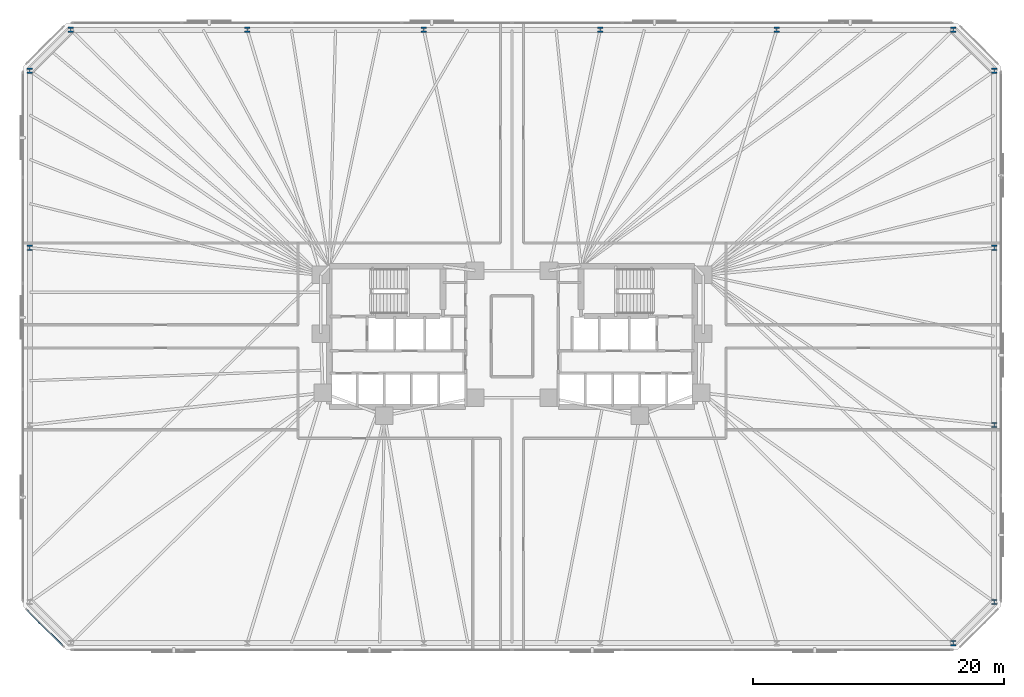
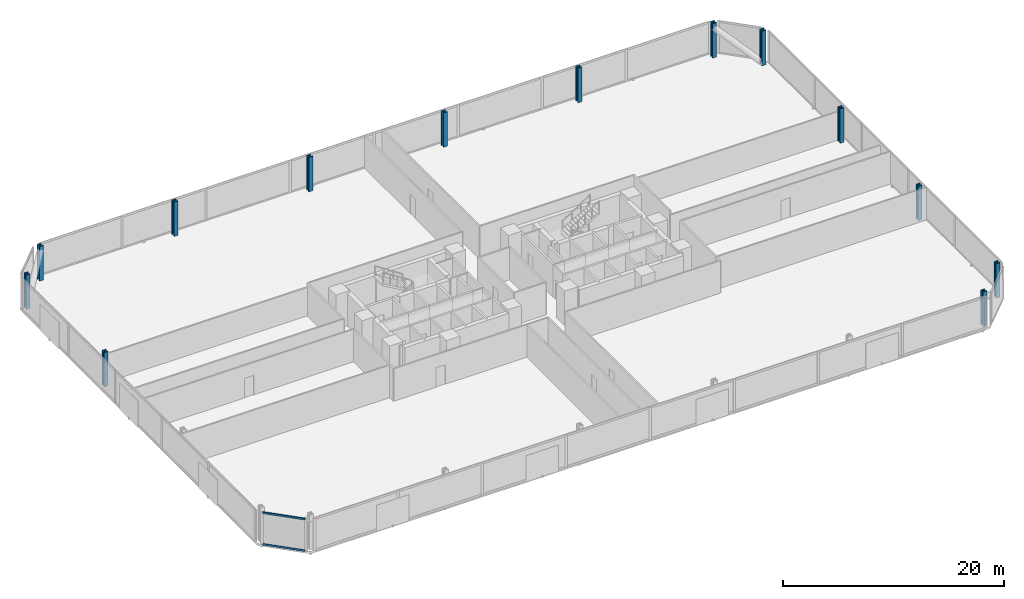
# One storey, part 5 of 16: 13 columns, 2 members, 1 element without a shape of its own.
"""IFC4 building model written with IfcOpenShell, lengths in metres."""

from ifc_helpers import new_model, si_unit, direction, frame, origin, origin_2d, place, context, subcontext, project, spatial, rectangle, i_section, extrude, material, material_profile, profile_set, type_object, element, aggregate, save


model = new_model("IFC4")

# Units and contexts
model_context = context("Model", 3, precision=1e-05, world=origin(), true_north=direction((0.0, 1.0)))
body_context = subcontext(model_context, "Body", "Model", "MODEL_VIEW")
ifc_project = project(units=[si_unit("LENGTHUNIT", "METRE"), si_unit("AREAUNIT", "SQUARE_METRE"), si_unit("VOLUMEUNIT", "CUBIC_METRE"), si_unit("PLANEANGLEUNIT", "RADIAN"), si_unit("MASSUNIT", "GRAM", prefix="KILO")], contexts=[model_context])

# Site, building, storey
site_placement = place(None, origin())
site = spatial("IfcSite", under=ifc_project, at=site_placement, CompositionType="ELEMENT")
building_placement = place(site_placement, origin())
building = spatial("IfcBuilding", under=site, at=building_placement, Name="Menara Jurai Vektor", CompositionType="ELEMENT")
storey_placement = place(building_placement, frame((0.0, 0.0, 14.199951171875)))
storey = spatial("IfcBuildingStorey", under=building, at=storey_placement, Name="L02", CompositionType="ELEMENT", Elevation=14.199951171875)

# Columns
ifc_material_1 = material(Name="Steel S460", Category="steel")
ifc_material_profile_1 = material_profile(ifc_material_1, i_section(OverallWidth=0.419921875, OverallDepth=0.430908203125, WebThickness=0.06494140625, FlangeThickness=0.10595703125, FilletRadius=0.014892578125, at=origin_2d()), Name="HD 400x900")
ifc_profile_set_1 = profile_set([ifc_material_profile_1], Name="Steel S460")
column_type = type_object("IfcColumnType", Name="STR-EXO-BLK1", PredefinedType="COLUMN", material=ifc_profile_set_1)
for number, where, z_axis, x_axis, name in (
    (1, (35.177734375, -24.449951171875, 0.0), (0.0, 0.0, 1.0), (1.0, 0.0, 0.0), "Exoskeleton Column BLK1-S6 L02"),
    (2, (38.449951171875, -21.177734375, 0.0), (0.0, 0.0, 1.0), (1.0, 0.0, 0.0), "Exoskeleton Column BLK1-E1 L02"),
    (3, (38.449951171875, -7.059326171875, 0.0), (0.0, 0.0, 1.0), (1.0, 0.0, 0.0), "Exoskeleton Column BLK1-E2 L02"),
    (4, (38.449951171875, 7.059326171875, 0.0), (0.0, 0.0, 1.0), (1.0, 0.0, 0.0), "Exoskeleton Column BLK1-E3 L02"),
    (5, (38.449951171875, 21.177734375, 0.0), (0.0, 0.0, 1.0), (1.0, 0.0, 0.0), "Exoskeleton Column BLK1-E4 L02"),
    (6, (35.177734375, 24.449951171875, 0.0), (0.0, 0.0, 1.0), (1.0, 0.0, 0.0), "Exoskeleton Column BLK1-N1 L02"),
    (7, (21.106689453125, 24.449951171875, 0.0), (0.0, 0.0, 1.0), (1.0, 0.0, 0.0), "Exoskeleton Column BLK1-N2 L02"),
    (8, (7.03564453125, 24.449951171875, 0.0), (0.0, 0.0, 1.0), (1.0, 0.0, 0.0), "Exoskeleton Column BLK1-N3 L02"),
    (9, (-7.03564453125, 24.449951171875, 0.0), (0.0, 0.0, 1.0), (1.0, 0.0, 0.0), "Exoskeleton Column BLK1-N4 L02"),
    (10, (-21.106689453125, 24.449951171875, 0.0), (0.0, 0.0, 1.0), (1.0, 0.0, 0.0), "Exoskeleton Column BLK1-N5 L02"),
    (11, (-35.177734375, 24.449951171875, 0.0), (0.0, 0.0, 1.0), (1.0, 0.0, 0.0), "Exoskeleton Column BLK1-N6 L02"),
    (12, (-38.449951171875, 21.177734375, 0.0), (0.0, 0.0, 1.0), (1.0, 0.0, 0.0), "Exoskeleton Column BLK1-W1 L02"),
    (13, (-38.449951171875, 7.059326171875, 0.0), (0.0, 0.0, 1.0), (1.0, 0.0, 0.0), "Exoskeleton Column BLK1-W2 L02"),
):
    element("IfcColumn", number, at=place(storey_placement, frame(where, z_axis=z_axis, x_axis=x_axis)), inside=storey, type_object=column_type, Name=name, PredefinedType="COLUMN", context=body_context, shape_type="SweptSolid", body=[
        extrude(i_section(OverallWidth=0.419921875, OverallDepth=0.430908203125, WebThickness=0.06494140625, FlangeThickness=0.10595703125, FilletRadius=0.014892578125, at=origin_2d()), origin(), (0.0, 0.0, 1.0), 3.800048828125),
    ])

# Curtain wall, members
ifc_material_2 = material(Name="Anodised Pale Aluminium & Low-E Double Glazing", Category="aluminium")
curtain_wall_type = type_object("IfcCurtainWallType", Name="CW-BLK1", PredefinedType="NOTDEFINED", material=ifc_material_2)
curtain_wall_placement = place(storey_placement, origin())
curtain_wall = element("IfcCurtainWall", 14, at=curtain_wall_placement, inside=storey, type_object=curtain_wall_type, Name="Unitised Curtain Wall L02 F08", PredefinedType="NOTDEFINED")
ifc_material_3 = material(Name="Anodised Pale Aluminium Transom", Category="aluminium")
ifc_material_profile_2 = material_profile(ifc_material_3, rectangle(XDim=0.094970703125, YDim=0.199951171875, at=origin_2d()), Name="ALU TRN 95x200")
ifc_profile_set_2 = profile_set([ifc_material_profile_2], Name="Anodised Pale Aluminium Transom")
member_type = type_object("IfcMemberType", Name="CW-BLK1-TRN", PredefinedType="USERDEFINED", material=ifc_profile_set_2)
member_1_placement = place(storey_placement, frame((-38.6640625, -21.8359375, 0.047607421875), z_axis=(0.707106781187, -0.707106781187, 0.0), x_axis=(0.707106781187, 0.707106781187, 0.0)))
member_1 = element("IfcMember", 15, at=member_1_placement, type_object=member_type, Name="CW-01 transom 1.1", ObjectType="TRANSOM", PredefinedType="USERDEFINED", context=body_context, shape_type="SweptSolid", body=[
    extrude(rectangle(XDim=0.094970703125, YDim=0.199951171875, at=origin_2d()), origin(), (0.0, 0.0, 1.0), 3.99951171875),
])
member_2_placement = place(storey_placement, frame((-38.6640625, -21.8359375, 3.527587890625), z_axis=(0.707106781187, -0.707106781187, 0.0), x_axis=(0.707106781187, 0.707106781187, 0.0)))
member_2 = element("IfcMember", 16, at=member_2_placement, type_object=member_type, Name="CW-01 transom 1.2", ObjectType="TRANSOM", PredefinedType="USERDEFINED", context=body_context, shape_type="SweptSolid", body=[
    extrude(rectangle(XDim=0.094970703125, YDim=0.199951171875, at=origin_2d()), origin(), (0.0, 0.0, 1.0), 3.99951171875),
])
aggregate(curtain_wall, [member_1, member_2])

save(model, "model.ifc")
